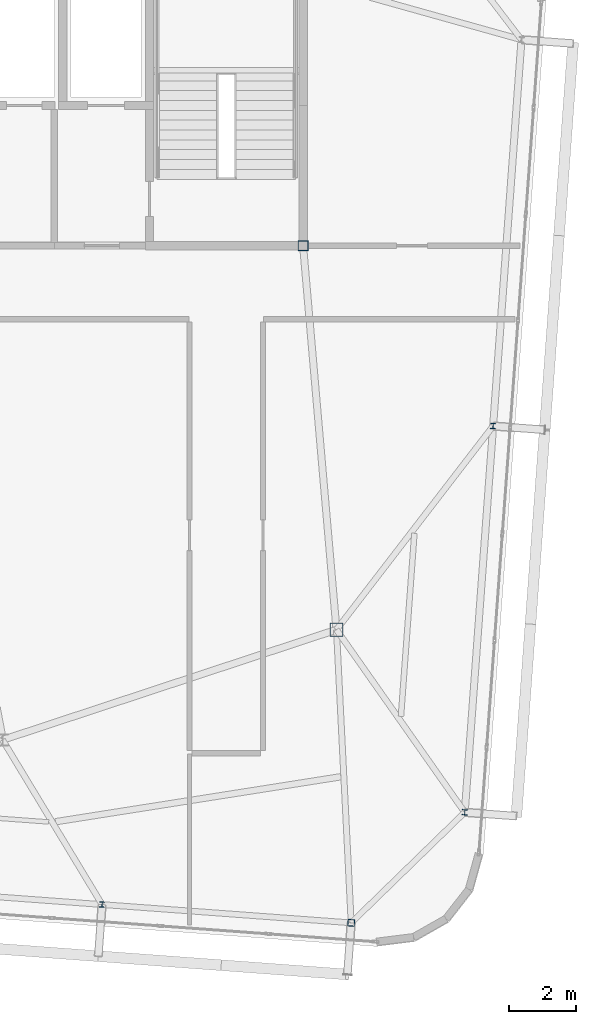
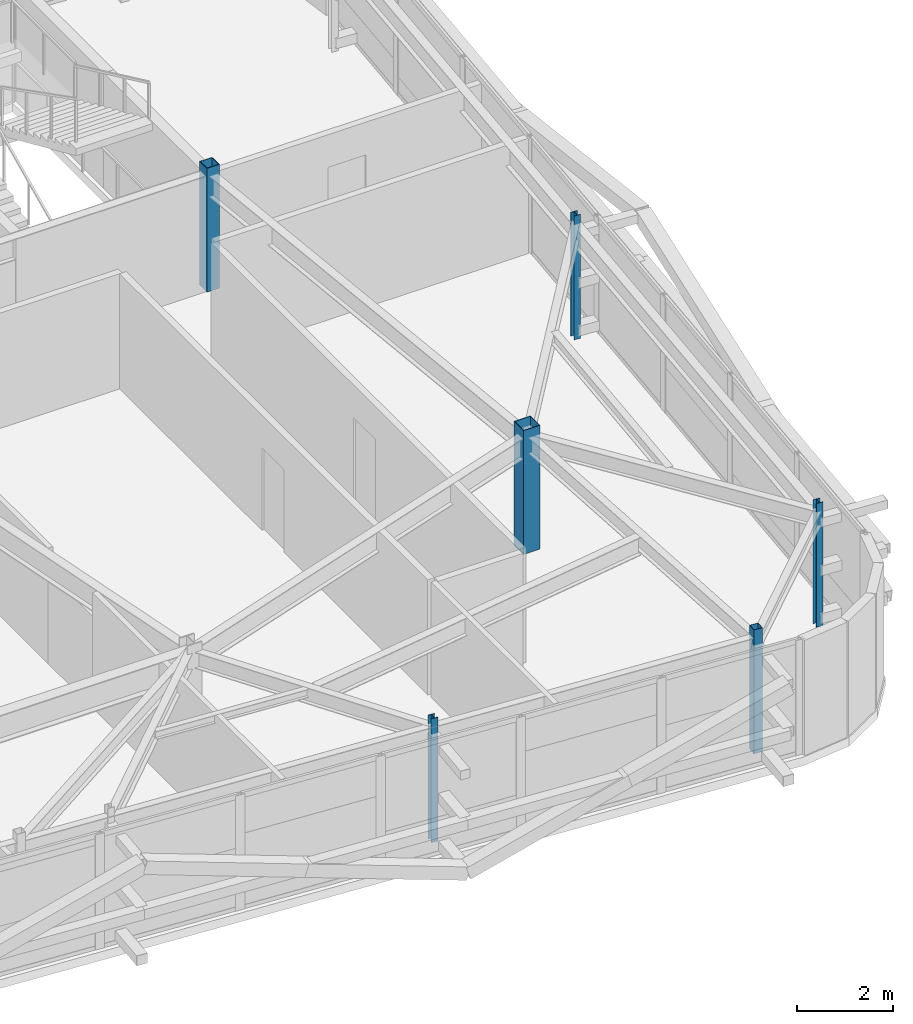
# One storey, part 5 of 42: 6 columns.
"""IFC4 building model written with IfcOpenShell, lengths in metres."""

from ifc_helpers import new_model, si_unit, direction, frame, origin, origin_2d, place, context, subcontext, project, spatial, hollow_rectangle, i_section, extrude, source, transform, mapped, material, material_profile, profile_set, type_object, element, save


model = new_model("IFC4")

# Units and contexts
model_context = context("Model", 3, precision=1e-05, world=origin(), true_north=direction((0.0, 1.0)))
body_context = subcontext(model_context, "Body", "Model", "MODEL_VIEW")
ifc_project = project(units=[si_unit("LENGTHUNIT", "METRE"), si_unit("AREAUNIT", "SQUARE_METRE"), si_unit("VOLUMEUNIT", "CUBIC_METRE"), si_unit("PLANEANGLEUNIT", "RADIAN"), si_unit("MASSUNIT", "GRAM", prefix="KILO")], contexts=[model_context])

# Site, building, storey
site_placement = place(None, origin())
site = spatial("IfcSite", under=ifc_project, at=site_placement, CompositionType="ELEMENT")
building_placement = place(site_placement, origin())
building = spatial("IfcBuilding", under=site, at=building_placement, Name="Taldren Reach Tower", CompositionType="ELEMENT")
storey_placement = place(building_placement, frame((0.0, 0.0, 224.0)))
storey = spatial("IfcBuildingStorey", under=building, at=storey_placement, Name="L68", CompositionType="ELEMENT", Elevation=224.0)

# Columns
ifc_material_1 = material(Name="Steel Gr 450 (C450L0)", Category="steel")
ifc_material_profile_1 = material_profile(ifc_material_1, hollow_rectangle(XDim=0.39990234375, YDim=0.39990234375, WallThickness=0.01611328125, at=origin_2d()), Name="400x400x16.0SHS")
ifc_profile_set_1 = profile_set([ifc_material_profile_1], Name="Steel Gr 450 (C450L0)")
column_type_1 = type_object("IfcColumnType", Name="COL-SHS400", PredefinedType="COLUMN", material=ifc_profile_set_1)
shared_shape_1 = source(origin(), body_context, "Body", "SweptSolid", [
    extrude(hollow_rectangle(XDim=0.39990234375, YDim=0.39990234375, WallThickness=0.01611328125, at=origin_2d()), origin(), (0.0, 0.0, 1.0), 3.14990234375),
])
column_1_placement = place(storey_placement, frame((52.0, 12.5, 0.0), z_axis=(0.0, 0.0, 1.0), x_axis=(1.0, 0.0, 0.0)))
element("IfcColumn", 1, at=column_1_placement, inside=storey, type_object=column_type_1, Name="Mega column MC-SE L68", PredefinedType="COLUMN", context=body_context, shape_type="MappedRepresentation", body=[
    mapped(shared_shape_1, transform((0.0, 0.0, 0.0), scale=1.0)),
])
ifc_material_profile_2 = material_profile(ifc_material_1, hollow_rectangle(XDim=0.300048828125, YDim=0.300048828125, WallThickness=0.012451171875, at=origin_2d()), Name="300x300x12.5SHS")
ifc_profile_set_2 = profile_set([ifc_material_profile_2], Name="Steel Gr 450 (C450L0)")
column_type_2 = type_object("IfcColumnType", Name="COL-SHS300", PredefinedType="COLUMN", material=ifc_profile_set_2)
shared_shape_2 = source(origin(), body_context, "Body", "SweptSolid", [
    extrude(hollow_rectangle(XDim=0.300048828125, YDim=0.300048828125, WallThickness=0.012451171875, at=origin_2d()), origin(), (0.0, 0.0, 1.0), 3.14990234375),
])
column_2_placement = place(storey_placement, frame((51.0, 24.0, 0.0), z_axis=(0.0, 0.0, 1.0), x_axis=(1.0, 0.0, 0.0)))
element("IfcColumn", 2, at=column_2_placement, inside=storey, type_object=column_type_2, Name="Mega column MC-C4 L68", PredefinedType="COLUMN", context=body_context, shape_type="MappedRepresentation", body=[
    mapped(shared_shape_2, transform((0.0, 0.0, 0.0), scale=1.0)),
])
ifc_material_2 = material(Name="Steel Gr 350 (C350L0)", Category="steel")
ifc_material_profile_3 = material_profile(ifc_material_2, hollow_rectangle(XDim=0.199951171875, YDim=0.199951171875, WallThickness=0.009033203125, at=origin_2d()), Name="200x200x9.0SHS")
ifc_profile_set_3 = profile_set([ifc_material_profile_3], Name="Steel Gr 350 (C350L0)")
column_type_3 = type_object("IfcColumnType", Name="COL-SHS200", PredefinedType="COLUMN", material=ifc_profile_set_3)
shared_shape_3 = source(origin(), body_context, "Body", "SweptSolid", [
    extrude(hollow_rectangle(XDim=0.199951171875, YDim=0.199951171875, WallThickness=0.009033203125, at=origin_2d()), origin(), (0.0, 0.0, 1.0), 3.14990234375),
])
column_3_placement = place(storey_placement, frame((52.440185546875, 3.72119140625, 0.0), z_axis=(0.0, 0.0, 1.0), x_axis=(0.997314477224, -0.073238197128, 0.0)))
element("IfcColumn", 3, at=column_3_placement, inside=storey, type_object=column_type_3, Name="Block B5 perimeter column S6 L68", PredefinedType="COLUMN", context=body_context, shape_type="MappedRepresentation", body=[
    mapped(shared_shape_3, transform((0.0, 0.0, 0.0), scale=1.0)),
])
ifc_material_3 = material(Name="Steel Gr 350 (350PLUS)", Category="steel")
ifc_material_profile_4 = material_profile(ifc_material_3, i_section(OverallWidth=0.154052734375, OverallDepth=0.162109375, WebThickness=0.008056640625, FlangeThickness=0.011474609375, at=origin_2d()), Name="150UC37.2")
ifc_profile_set_4 = profile_set([ifc_material_profile_4], Name="Steel Gr 350 (350PLUS)")
column_type_4 = type_object("IfcColumnType", Name="COL-UC150", PredefinedType="COLUMN", material=ifc_profile_set_4)
shared_shape_4 = source(origin(), body_context, "Body", "SweptSolid", [
    extrude(i_section(OverallWidth=0.154052734375, OverallDepth=0.162109375, WebThickness=0.008056640625, FlangeThickness=0.011474609375, at=origin_2d()), origin(), (0.0, 0.0, 1.0), 3.14990234375),
])
for number, where, z_axis, x_axis, name in (
    (4, (44.980224609375, 4.26904296875, 0.0), (0.0, 0.0, 1.0), (0.997314477224, -0.073238197128, 0.0), "Block B5 perimeter column S5 L68"),
    (5, (55.841796875, 7.031005859375, 0.0), (0.0, 0.0, 1.0), (0.997314477224, -0.073238197128, 0.0), "Block B5 perimeter column E1 L68"),
    (6, (56.69140625, 18.599853515625, 0.0), (0.0, 0.0, 1.0), (0.997314477224, -0.073238197128, 0.0), "Block B5 perimeter column E2 L68"),
):
    element("IfcColumn", number, at=place(storey_placement, frame(where, z_axis=z_axis, x_axis=x_axis)), inside=storey, type_object=column_type_4, Name=name, PredefinedType="COLUMN", context=body_context, shape_type="MappedRepresentation", body=[
        mapped(shared_shape_4, transform((0.0, 0.0, 0.0), scale=1.0)),
    ])

save(model, "model.ifc")
